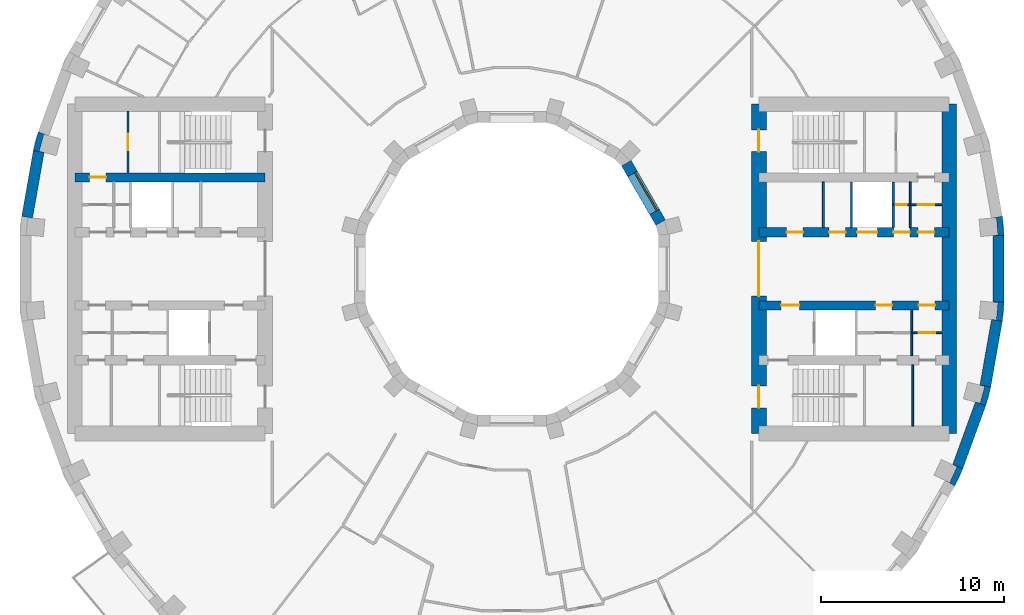
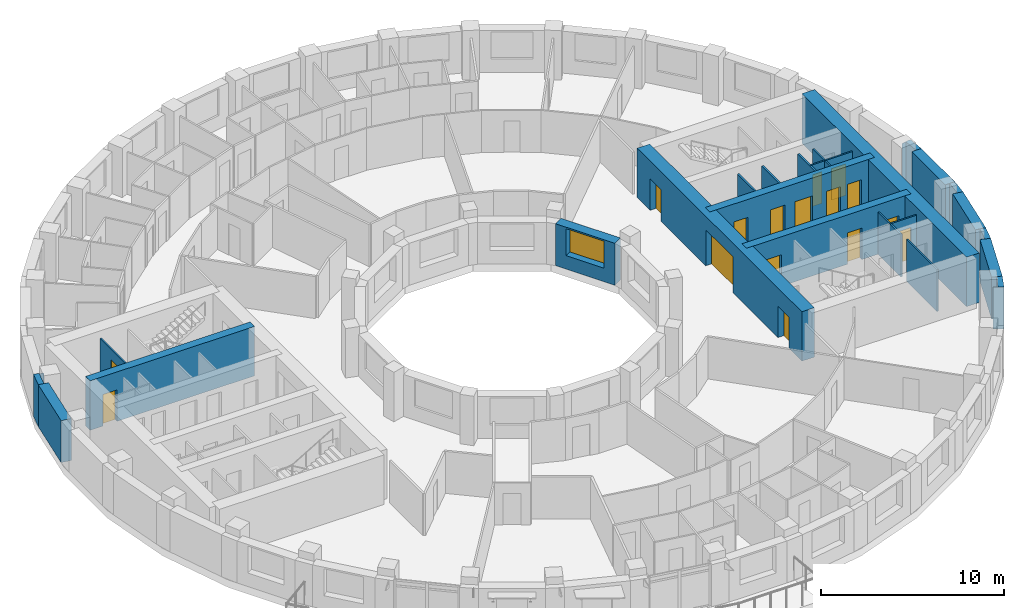
# One storey, part 8 of 14: 25 walls, 16 doors, 1 window, 17 openings.
"""IFC4 building model written with IfcOpenShell, lengths in metres."""

from ifc_helpers import new_model, si_unit, direction, frame, frame_2d, origin, place, context, subcontext, project, spatial, polyline, rectangle, outline, extrude, material, layer, layer_set, type_object, element, fill, save


model = new_model("IFC4")

# Units and contexts
model_context = context("Model", 3, precision=1e-05, world=origin(), true_north=direction((0.0, 1.0)))
body_context = subcontext(model_context, "Body", "Model", "MODEL_VIEW")
ifc_project = project(units=[si_unit("LENGTHUNIT", "METRE"), si_unit("AREAUNIT", "SQUARE_METRE"), si_unit("VOLUMEUNIT", "CUBIC_METRE"), si_unit("PLANEANGLEUNIT", "RADIAN"), si_unit("MASSUNIT", "GRAM", prefix="KILO")], contexts=[model_context])

# Site, building, storey
site_placement = place(None, origin())
site = spatial("IfcSite", under=ifc_project, at=site_placement, CompositionType="ELEMENT")
building_placement = place(site_placement, origin())
building = spatial("IfcBuilding", under=site, at=building_placement, Name="Saqina Gate Tower", CompositionType="ELEMENT")
storey_placement = place(building_placement, frame((0.0, 0.0, 134.800048828125)))
storey = spatial("IfcBuildingStorey", under=building, at=storey_placement, Name="L38", CompositionType="ELEMENT", Elevation=134.800048828125)

# Walls
ifc_material_1 = material(Name="Brick masonry (buff)", Category="masonry")
wall_type_1 = type_object("IfcWallType", Name="BRICK PIER COPING BUFF", PredefinedType="SOLIDWALL", material=ifc_material_1)
wall_1_placement = place(storey_placement, origin())
element("IfcWall", 1, at=wall_1_placement, inside=storey, type_object=wall_type_1, Name="Pier cap L38 column 1", PredefinedType="SOLIDWALL", context=body_context, shape_type="SweptSolid", body=[
    extrude(outline(polyline([(26.805419921875, 2.87451171875), (26.214599609375, 2.770263671875), (26.482421875, 2.793701171875), (26.565185546875, 1.847412109375), (26.29736328125, 1.823974609375), (26.897216796875, 1.823974609375), (26.805419921875, 2.87451171875)])), origin(), (0.0, 0.0, 1.0), 2.800048828125),
])
wall_2_placement = place(storey_placement, origin())
element("IfcWall", 2, at=wall_2_placement, inside=storey, type_object=wall_type_1, Name="Pier cap L38 column 17", PredefinedType="SOLIDWALL", context=body_context, shape_type="SweptSolid", body=[
    extrude(outline(polyline([(-25.89892578125, 7.485595703125), (-26.171875, 6.466796875), (-25.5810546875, 6.36279296875), (-25.8408203125, 6.43212890625), (-25.5947265625, 7.349853515625), (-25.335205078125, 7.2802734375), (-25.89892578125, 7.485595703125)])), origin(), (0.0, 0.0, 1.0), 2.800048828125),
])
wall_3_placement = place(storey_placement, origin())
element("IfcWall", 3, at=wall_3_placement, inside=storey, type_object=wall_type_1, Name="Pier cap L38 column 34", PredefinedType="SOLIDWALL", context=body_context, shape_type="SweptSolid", body=[
    extrude(outline(polyline([(24.6513671875, -10.913330078125), (24.08740234375, -10.7080078125), (24.331298828125, -10.82177734375), (23.9296875, -11.6826171875), (23.68603515625, -11.569091796875), (24.205810546875, -11.869140625), (24.6513671875, -10.913330078125)])), origin(), (0.0, 0.0, 1.0), 2.800048828125),
])
wall_4_placement = place(storey_placement, origin())
element("IfcWall", 4, at=wall_4_placement, inside=storey, type_object=wall_type_1, Name="Pier cap L38 column 35", PredefinedType="SOLIDWALL", context=body_context, shape_type="SweptSolid", body=[
    extrude(outline(polyline([(25.89892578125, -7.485595703125), (26.171875, -6.466796875), (25.5810546875, -6.36279296875), (25.8408203125, -6.43212890625), (25.5947265625, -7.349853515625), (25.335205078125, -7.2802734375), (25.89892578125, -7.485595703125)])), origin(), (0.0, 0.0, 1.0), 2.800048828125),
])
wall_5_placement = place(storey_placement, origin())
element("IfcWall", 5, at=wall_5_placement, inside=storey, type_object=wall_type_1, Name="Pier cap L38 column 36", PredefinedType="SOLIDWALL", context=body_context, shape_type="SweptSolid", body=[
    extrude(outline(polyline([(26.805419921875, -2.87451171875), (26.897216796875, -1.823974609375), (26.29736328125, -1.823974609375), (26.565185546875, -1.847412109375), (26.482421875, -2.793701171875), (26.214599609375, -2.770263671875), (26.805419921875, -2.87451171875)])), origin(), (0.0, 0.0, 1.0), 2.800048828125),
])
ifc_material_2 = material(Name="Gypsum board on steel studs", Category="steel")
ifc_layer_1 = layer(ifc_material_2, 0.10009765625)
ifc_layer_set_1 = layer_set([ifc_layer_1], Name="CORE PARTITION")
wall_type_2 = type_object("IfcWallType", Name="CORE PARTITION", PredefinedType="PARTITIONING", material=ifc_layer_set_1)
for number, where, z_axis, x_axis, name in (
    (6, (17.022216796875, 2.25, 0.0), (0.0, 0.0, 1.0), (0.0, 1.0, 0.0), "L38-CP-E01"),
    (7, (21.77099609375, 2.25, 0.0), (0.0, 0.0, 1.0), (0.0, 1.0, 0.0), "L38-CP-E04"),
    (8, (21.8583984375, -4.75, 0.0), (0.0, 0.0, 1.0), (0.0, 1.0, 0.0), "L38-CP-E07"),
):
    element("IfcWall", number, at=place(storey_placement, frame(where, z_axis=z_axis, x_axis=x_axis)), inside=storey, type_object=wall_type_2, Name=name, PredefinedType="PARTITIONING", context=body_context, shape_type="SweptSolid", body=[
        extrude(rectangle(XDim=2.5, YDim=0.10009765625, at=frame_2d((1.25, 0.0))), origin(), (0.0, 0.0, 1.0), 2.800048828125),
    ])

# Wall, opening, door
wall_6_placement = place(storey_placement, frame((20.840087890625, 3.5, 0.0), z_axis=(0.0, 0.0, 1.0), x_axis=(1.0, 0.0, 0.0)))
wall_6 = element("IfcWall", 9, at=wall_6_placement, inside=storey, type_object=wall_type_2, Name="L38-CP-E08", PredefinedType="PARTITIONING", context=body_context, shape_type="SweptSolid", body=[
    extrude(rectangle(XDim=0.930908203125, YDim=0.10009765625, at=frame_2d((0.46533203125, 0.0))), origin(), (0.0, 0.0, 1.0), 2.800048828125),
])
opening_1_placement = place(wall_6_placement, frame((0.14990234375, 0.0, 0.0)))
opening_1 = element("IfcOpeningElement", 10, at=opening_1_placement, cuts=wall_6, Name="Opening G11-D97", PredefinedType="OPENING", context=body_context, shape_type="SweptSolid", body=[
    extrude(rectangle(XDim=0.60009765625, YDim=2.10009765625, at=frame_2d((0.300048828125, 1.050048828125))), frame((0.0, 0.06201171875, 0.0), z_axis=(0.0, -1.0, 0.0), x_axis=(1.0, 0.0, 0.0)), (0.0, 0.0, 1.0), 0.1240234375),
])
ifc_material_3 = material(Name="Steel-framed fire door leaf, EI 60", Category="steel")
door_type_1 = type_object("IfcDoorType", Name="SERVICE ROOM DOOR 600", OperationType="SINGLE_SWING_LEFT", PredefinedType="DOOR", material=ifc_material_3)
door_1_placement = place(opening_1_placement, origin())
door_1 = element("IfcDoor", 11, at=door_1_placement, inside=storey, type_object=door_type_1, Name="L38-CD-E08", OperationType="SINGLE_SWING_LEFT", OverallHeight=2.10009765625, OverallWidth=0.60009765625, PredefinedType="DOOR", context=body_context, shape_type="SweptSolid", body=[
    extrude(rectangle(XDim=0.60009765625, YDim=2.10009765625, at=frame_2d((0.300048828125, 1.050048828125))), frame((0.0, 0.02490234375, 0.0), z_axis=(0.0, -1.0, 0.0), x_axis=(1.0, 0.0, 0.0)), (0.0, 0.0, 1.0), 0.050048828125),
])
fill(opening_1, door_1)

wall_7_placement = place(storey_placement, frame((21.77099609375, 3.5, 0.0), z_axis=(0.0, 0.0, 1.0), x_axis=(1.0, 0.0, 0.0)))
wall_7 = element("IfcWall", 12, at=wall_7_placement, inside=storey, type_object=wall_type_2, Name="L38-CP-E09", PredefinedType="PARTITIONING", context=body_context, shape_type="SweptSolid", body=[
    extrude(rectangle(XDim=1.72900390625, YDim=0.10009765625, at=frame_2d((0.864501953125, 0.0))), origin(), (0.0, 0.0, 1.0), 2.800048828125),
])
opening_2_placement = place(wall_7_placement, frame((0.41455078125, 0.0, 0.0)))
opening_2 = element("IfcOpeningElement", 13, at=opening_2_placement, cuts=wall_7, Name="Opening G11-D98", PredefinedType="OPENING", context=body_context, shape_type="SweptSolid", body=[
    extrude(rectangle(XDim=0.89990234375, YDim=2.10009765625, at=frame_2d((0.449951171875, 1.050048828125))), frame((0.0, 0.06201171875, 0.0), z_axis=(0.0, -1.0, 0.0), x_axis=(1.0, 0.0, 0.0)), (0.0, 0.0, 1.0), 0.1240234375),
])
ifc_material_4 = material(Name="Steel-framed fire door leaf, EI 60", Category="steel")
door_type_2 = type_object("IfcDoorType", Name="SERVICE ROOM DOOR 900", OperationType="SINGLE_SWING_LEFT", PredefinedType="DOOR", material=ifc_material_4)
door_2_placement = place(opening_2_placement, origin())
door_2 = element("IfcDoor", 14, at=door_2_placement, inside=storey, type_object=door_type_2, Name="L38-CD-E09", OperationType="SINGLE_SWING_RIGHT", OverallHeight=2.10009765625, OverallWidth=0.89990234375, PredefinedType="DOOR", context=body_context, shape_type="SweptSolid", body=[
    extrude(rectangle(XDim=0.89990234375, YDim=2.10009765625, at=frame_2d((0.449951171875, 1.050048828125))), frame((0.0, 0.02490234375, 0.0), z_axis=(0.0, -1.0, 0.0), x_axis=(1.0, 0.0, 0.0)), (0.0, 0.0, 1.0), 0.050048828125),
])
fill(opening_2, door_2)

wall_8_placement = place(storey_placement, frame((21.8583984375, -3.5, 0.0), z_axis=(0.0, 0.0, 1.0), x_axis=(1.0, 0.0, 0.0)))
wall_8 = element("IfcWall", 15, at=wall_8_placement, inside=storey, type_object=wall_type_2, Name="L38-CP-E11", PredefinedType="PARTITIONING", context=body_context, shape_type="SweptSolid", body=[
    extrude(rectangle(XDim=1.6416015625, YDim=0.10009765625, at=frame_2d((0.82080078125, 0.0))), origin(), (0.0, 0.0, 1.0), 2.800048828125),
])
opening_3_placement = place(wall_8_placement, frame((0.370849609375, 0.0, 0.0)))
opening_3 = element("IfcOpeningElement", 16, at=opening_3_placement, cuts=wall_8, Name="Opening G11-D101", PredefinedType="OPENING", context=body_context, shape_type="SweptSolid", body=[
    extrude(rectangle(XDim=0.89990234375, YDim=2.10009765625, at=frame_2d((0.449951171875, 1.050048828125))), frame((0.0, 0.06201171875, 0.0), z_axis=(0.0, -1.0, 0.0), x_axis=(1.0, 0.0, 0.0)), (0.0, 0.0, 1.0), 0.1240234375),
])
door_3_placement = place(opening_3_placement, frame((0.89990234375, 0.0, 0.0), z_axis=(0.0, 0.0, 1.0), x_axis=(-1.0, 0.0, 0.0)))
door_3 = element("IfcDoor", 17, at=door_3_placement, inside=storey, type_object=door_type_2, Name="L38-CD-E12", OperationType="SINGLE_SWING_LEFT", OverallHeight=2.10009765625, OverallWidth=0.89990234375, PredefinedType="DOOR", context=body_context, shape_type="SweptSolid", body=[
    extrude(rectangle(XDim=0.89990234375, YDim=2.10009765625, at=frame_2d((0.449951171875, 1.050048828125))), frame((0.0, 0.02490234375, 0.0), z_axis=(0.0, -1.0, 0.0), x_axis=(1.0, 0.0, 0.0)), (0.0, 0.0, 1.0), 0.050048828125),
])
fill(opening_3, door_3)

# Wall
wall_9_placement = place(storey_placement, frame((21.91162109375, -8.60009765625, 0.0), z_axis=(0.0, 0.0, 1.0), x_axis=(0.0, 1.0, 0.0)))
element("IfcWall", 18, at=wall_9_placement, inside=storey, type_object=wall_type_2, Name="L38-CP-E15", PredefinedType="PARTITIONING", context=body_context, shape_type="SweptSolid", body=[
    extrude(rectangle(XDim=3.35009765625, YDim=0.10009765625, at=frame_2d((1.675048828125, 0.0))), origin(), (0.0, 0.0, 1.0), 2.800048828125),
])

# Wall, opening, door
wall_10_placement = place(storey_placement, frame((-20.991943359375, 5.25, 0.0), z_axis=(0.0, 0.0, 1.0), x_axis=(0.0, 1.0, 0.0)))
wall_10 = element("IfcWall", 19, at=wall_10_placement, inside=storey, type_object=wall_type_2, Name="L38-CP-W13", PredefinedType="PARTITIONING", context=body_context, shape_type="SweptSolid", body=[
    extrude(rectangle(XDim=3.35009765625, YDim=0.10009765625, at=frame_2d((1.675048828125, 0.0))), origin(), (0.0, 0.0, 1.0), 2.800048828125),
])
opening_4_placement = place(wall_10_placement, frame((1.22509765625, 0.0, 0.0)))
opening_4 = element("IfcOpeningElement", 20, at=opening_4_placement, cuts=wall_10, Name="Opening G11-D118", PredefinedType="OPENING", context=body_context, shape_type="SweptSolid", body=[
    extrude(rectangle(XDim=0.89990234375, YDim=2.10009765625, at=frame_2d((0.449951171875, 1.050048828125))), frame((0.0, 0.06201171875, 0.0), z_axis=(0.0, -1.0, 0.0), x_axis=(1.0, 0.0, 0.0)), (0.0, 0.0, 1.0), 0.1240234375),
])
door_4_placement = place(opening_4_placement, origin())
door_4 = element("IfcDoor", 21, at=door_4_placement, inside=storey, type_object=door_type_2, Name="L38-CD-W29", OperationType="SINGLE_SWING_RIGHT", OverallHeight=2.10009765625, OverallWidth=0.89990234375, PredefinedType="DOOR", context=body_context, shape_type="SweptSolid", body=[
    extrude(rectangle(XDim=0.89990234375, YDim=2.10009765625, at=frame_2d((0.449951171875, 1.050048828125))), frame((0.0, 0.02490234375, 0.0), z_axis=(0.0, -1.0, 0.0), x_axis=(1.0, 0.0, 0.0)), (0.0, 0.0, 1.0), 0.050048828125),
])
fill(opening_4, door_4)

# Walls
ifc_material_5 = material(Name="Glazed ceramic tile", Category="ceramic")
ifc_layer_2 = layer(ifc_material_5, 0.60009765625)
ifc_layer_set_2 = layer_set([ifc_layer_2], Name="FW-TILE")
wall_type_3 = type_object("IfcWallType", Name="FW-TILE", PredefinedType="SOLIDWALL", material=ifc_layer_set_2)
for number, where, z_axis, x_axis, name in (
    (22, (-25.87646484375, 6.414794921875, 0.0), (0.0, 0.0, 1.0), (-0.173670796382, -0.984803764455, 0.0), "Facade wall L38 facet 17"),
    (23, (25.87646484375, -6.414794921875, 0.0), (0.0, 0.0, 1.0), (0.173670796382, 0.984803764455, 0.0), "Facade wall L38 facet 35"),
):
    element("IfcWall", number, at=place(storey_placement, frame(where, z_axis=z_axis, x_axis=x_axis)), inside=storey, type_object=wall_type_3, Name=name, PredefinedType="SOLIDWALL", context=body_context, shape_type="SweptSolid", body=[
        extrude(rectangle(XDim=3.64794921875, YDim=0.60009765625, at=frame_2d((1.823974609375, 0.0))), origin(), (0.0, 0.0, 1.0), 2.800048828125),
    ])
ifc_material_6 = material(Name="Glazed ceramic tile (dark blue)", Category="ceramic")
ifc_layer_3 = layer(ifc_material_6, 0.60009765625)
ifc_layer_set_3 = layer_set([ifc_layer_3], Name="FW-TILE-CB")
wall_type_4 = type_object("IfcWallType", Name="FW-TILE-CB", PredefinedType="SOLIDWALL", material=ifc_layer_set_3)
wall_11_placement = place(storey_placement, frame((26.59716796875, -1.823974609375, 0.0), z_axis=(0.0, 0.0, 1.0), x_axis=(0.0, 1.0, 0.0)))
element("IfcWall", 24, at=wall_11_placement, inside=storey, type_object=wall_type_4, Name="Facade wall L38 facet 36", PredefinedType="SOLIDWALL", context=body_context, shape_type="SweptSolid", body=[
    extrude(rectangle(XDim=3.64794921875, YDim=0.60009765625, at=frame_2d((1.823974609375, 0.0))), origin(), (0.0, 0.0, 1.0), 2.800048828125),
])
ifc_material_7 = material(Name="Glazed ceramic tile (white)", Category="ceramic")
ifc_layer_4 = layer(ifc_material_7, 0.60009765625)
ifc_layer_set_4 = layer_set([ifc_layer_4], Name="FW-TILE-WH")
wall_type_5 = type_object("IfcWallType", Name="FW-TILE-WH", PredefinedType="SOLIDWALL", material=ifc_layer_set_4)
wall_12_placement = place(storey_placement, frame((24.369384765625, -10.810791015625, 0.0), z_axis=(0.0, 0.0, 1.0), x_axis=(0.341990236633, 0.939703505393, 0.0)))
element("IfcWall", 25, at=wall_12_placement, inside=storey, type_object=wall_type_5, Name="Facade wall L38 facet 34", PredefinedType="SOLIDWALL", context=body_context, shape_type="SweptSolid", body=[
    extrude(rectangle(XDim=3.64794921875, YDim=0.60009765625, at=frame_2d((1.823974609375, 0.0))), origin(), (0.0, 0.0, 1.0), 2.800048828125),
])

# Wall, opening, window
ifc_material_8 = material(Name="Glazed ceramic tile", Category="ceramic")
ifc_layer_5 = layer(ifc_material_8, 0.60009765625)
ifc_layer_set_5 = layer_set([ifc_layer_5], Name="IW-TILE")
wall_type_6 = type_object("IfcWallType", Name="IW-TILE", PredefinedType="SOLIDWALL", material=ifc_layer_set_5)
wall_13_placement = place(storey_placement, frame((8.124755859375, 2.52734375, 0.0), z_axis=(0.0, 0.0, 1.0), x_axis=(-0.499964958637, 0.86604563398, 0.0)))
wall_13 = element("IfcWall", 26, at=wall_13_placement, inside=storey, type_object=wall_type_6, Name="Well wall L38 facet 1", PredefinedType="SOLIDWALL", context=body_context, shape_type="SweptSolid", body=[
    extrude(rectangle(XDim=3.747314453125, YDim=0.60009765625, at=frame_2d((1.87353515625, 0.0))), origin(), (0.0, 0.0, 1.0), 2.800048828125),
])
opening_5_placement = place(wall_13_placement, frame((0.673583984375, 0.0, 0.89990234375)))
opening_5 = element("IfcOpeningElement", 27, at=opening_5_placement, cuts=wall_13, Name="Opening G11-W23", PredefinedType="OPENING", context=body_context, shape_type="SweptSolid", body=[
    extrude(rectangle(XDim=2.39990234375, YDim=1.800048828125, at=frame_2d((1.199951171875, 0.89990234375))), frame((0.0, 0.31201171875, 0.0), z_axis=(0.0, -1.0, 0.0), x_axis=(1.0, 0.0, 0.0)), (0.0, 0.0, 1.0), 0.6240234375),
])
ifc_material_9 = material(Name="Aluminium glazing", Category="aluminium")
window_type = type_object("IfcWindowType", Name="WN-W", PartitioningType="SINGLE_PANEL", PredefinedType="WINDOW", material=ifc_material_9)
window_placement = place(opening_5_placement, origin())
window = element("IfcWindow", 28, at=window_placement, inside=storey, type_object=window_type, Name="Well window L38 facet 1", OverallHeight=1.800048828125, OverallWidth=2.39990234375, PartitioningType="SINGLE_PANEL", PredefinedType="WINDOW", context=body_context, shape_type="SweptSolid", body=[
    extrude(rectangle(XDim=2.39990234375, YDim=1.800048828125, at=frame_2d((1.199951171875, 0.89990234375))), frame((0.0, -0.119873046875, 0.0), z_axis=(0.0, -1.0, 0.0), x_axis=(1.0, 0.0, 0.0)), (0.0, 0.0, 1.0), 0.06005859375),
])
fill(opening_5, window)

# Walls
ifc_material_10 = material(Name="Autoclaved aerated concrete block", Category="concrete")
ifc_layer_6 = layer(ifc_material_10, 0.1201171875)
ifc_layer_set_6 = layer_set([ifc_layer_6], Name="SHAFT PARTITION")
wall_type_7 = type_object("IfcWallType", Name="SHAFT PARTITION", PredefinedType="PARTITIONING", material=ifc_layer_set_6)
for number, where, z_axis, x_axis, name in (
    (29, (18.56005859375, 2.25, 0.0), (0.0, 0.0, 1.0), (0.0, 1.0, 0.0), "L38-CP-E02"),
    (30, (20.840087890625, 2.25, 0.0), (0.0, 0.0, 1.0), (0.0, 1.0, 0.0), "L38-CP-E03"),
):
    element("IfcWall", number, at=place(storey_placement, frame(where, z_axis=z_axis, x_axis=x_axis)), inside=storey, type_object=wall_type_7, Name=name, PredefinedType="PARTITIONING", context=body_context, shape_type="SweptSolid", body=[
        extrude(rectangle(XDim=2.5, YDim=0.1201171875, at=frame_2d((1.25, 0.0))), origin(), (0.0, 0.0, 1.0), 2.800048828125),
    ])

# Wall, openings, doors
ifc_material_11 = material(Name="Concrete C70/85", Category="concrete")
ifc_layer_7 = layer(ifc_material_11, 0.5)
ifc_layer_set_7 = layer_set([ifc_layer_7], Name="Concrete C70/85")
wall_type_8 = type_object("IfcWallType", Name="STR-CORE WALL-B-I", PredefinedType="SHEAR", material=ifc_layer_set_7)
wall_14_placement = place(storey_placement, frame((13.5, 2.0, 0.0), z_axis=(0.0, 0.0, 1.0), x_axis=(1.0, 0.0, 0.0)))
wall_14 = element("IfcWall", 31, at=wall_14_placement, inside=storey, type_object=wall_type_8, Name="CORE WALL L38 E-L1", PredefinedType="SHEAR", context=body_context, shape_type="SweptSolid", body=[
    extrude(rectangle(XDim=10.39990234375, YDim=0.5, at=frame_2d((5.199951171875, 0.0))), origin(), (0.0, 0.0, 1.0), 3.300048828125),
])
opening_6_placement = place(wall_14_placement, frame((5.3701171875, 0.0, 0.0)))
opening_6 = element("IfcOpeningElement", 32, at=opening_6_placement, cuts=wall_14, Name="Opening G11-LD1", PredefinedType="OPENING", context=body_context, shape_type="SweptSolid", body=[
    extrude(rectangle(XDim=1.10009765625, YDim=2.10009765625, at=frame_2d((0.550048828125, 1.050048828125))), frame((0.0, 0.261962890625, 0.0), z_axis=(0.0, -1.0, 0.0), x_axis=(1.0, 0.0, 0.0)), (0.0, 0.0, 1.0), 0.52392578125),
])
opening_7_placement = place(wall_14_placement, frame((1.510986328125, 0.0, 0.0)))
opening_7 = element("IfcOpeningElement", 33, at=opening_7_placement, cuts=wall_14, Name="Opening G11-D90", PredefinedType="OPENING", context=body_context, shape_type="SweptSolid", body=[
    extrude(rectangle(XDim=0.89990234375, YDim=2.10009765625, at=frame_2d((0.449951171875, 1.050048828125))), frame((0.0, 0.261962890625, 0.0), z_axis=(0.0, -1.0, 0.0), x_axis=(1.0, 0.0, 0.0)), (0.0, 0.0, 1.0), 0.52392578125),
])
opening_8_placement = place(wall_14_placement, frame((3.841064453125, 0.0, 0.0)))
opening_8 = element("IfcOpeningElement", 34, at=opening_8_placement, cuts=wall_14, Name="Opening G11-D91", PredefinedType="OPENING", context=body_context, shape_type="SweptSolid", body=[
    extrude(rectangle(XDim=0.89990234375, YDim=2.10009765625, at=frame_2d((0.449951171875, 1.050048828125))), frame((0.0, 0.261962890625, 0.0), z_axis=(0.0, -1.0, 0.0), x_axis=(1.0, 0.0, 0.0)), (0.0, 0.0, 1.0), 0.52392578125),
])
opening_9_placement = place(wall_14_placement, frame((7.35546875, 0.0, 0.0)))
opening_9 = element("IfcOpeningElement", 35, at=opening_9_placement, cuts=wall_14, Name="Opening G11-D92", PredefinedType="OPENING", context=body_context, shape_type="SweptSolid", body=[
    extrude(rectangle(XDim=0.89990234375, YDim=2.10009765625, at=frame_2d((0.449951171875, 1.050048828125))), frame((0.0, 0.261962890625, 0.0), z_axis=(0.0, -1.0, 0.0), x_axis=(1.0, 0.0, 0.0)), (0.0, 0.0, 1.0), 0.52392578125),
])
opening_10_placement = place(wall_14_placement, frame((8.685546875, 0.0, 0.0)))
opening_10 = element("IfcOpeningElement", 36, at=opening_10_placement, cuts=wall_14, Name="Opening G11-D93", PredefinedType="OPENING", context=body_context, shape_type="SweptSolid", body=[
    extrude(rectangle(XDim=0.89990234375, YDim=2.10009765625, at=frame_2d((0.449951171875, 1.050048828125))), frame((0.0, 0.261962890625, 0.0), z_axis=(0.0, -1.0, 0.0), x_axis=(1.0, 0.0, 0.0)), (0.0, 0.0, 1.0), 0.52392578125),
])
ifc_material_12 = material(Name="Stainless steel", Category="steel")
door_type_3 = type_object("IfcDoorType", Name="LANDING DOOR", OperationType="DOUBLE_DOOR_SLIDING", PredefinedType="DOOR", material=ifc_material_12)
door_5_placement = place(opening_6_placement, origin())
door_5 = element("IfcDoor", 37, at=door_5_placement, inside=storey, type_object=door_type_3, Name="LANDING DOOR MR1", OperationType="DOUBLE_DOOR_SLIDING", OverallHeight=2.10009765625, OverallWidth=1.10009765625, PredefinedType="DOOR", context=body_context, shape_type="SweptSolid", body=[
    extrude(rectangle(XDim=1.10009765625, YDim=2.10009765625, at=frame_2d((0.550048828125, 1.050048828125))), frame((0.0, 0.02490234375, 0.0), z_axis=(0.0, -1.0, 0.0), x_axis=(1.0, 0.0, 0.0)), (0.0, 0.0, 1.0), 0.050048828125),
])
fill(opening_6, door_5)
door_6_placement = place(opening_7_placement, origin())
door_6 = element("IfcDoor", 38, at=door_6_placement, inside=storey, type_object=door_type_2, Name="L38-CD-E01", OperationType="SINGLE_SWING_LEFT", OverallHeight=2.10009765625, OverallWidth=0.89990234375, PredefinedType="DOOR", context=body_context, shape_type="SweptSolid", body=[
    extrude(rectangle(XDim=0.89990234375, YDim=2.10009765625, at=frame_2d((0.449951171875, 1.050048828125))), frame((0.0, 0.02490234375, 0.0), z_axis=(0.0, -1.0, 0.0), x_axis=(1.0, 0.0, 0.0)), (0.0, 0.0, 1.0), 0.050048828125),
])
fill(opening_7, door_6)
door_7_placement = place(opening_8_placement, origin())
door_7 = element("IfcDoor", 39, at=door_7_placement, inside=storey, type_object=door_type_2, Name="L38-CD-E02", OperationType="SINGLE_SWING_RIGHT", OverallHeight=2.10009765625, OverallWidth=0.89990234375, PredefinedType="DOOR", context=body_context, shape_type="SweptSolid", body=[
    extrude(rectangle(XDim=0.89990234375, YDim=2.10009765625, at=frame_2d((0.449951171875, 1.050048828125))), frame((0.0, 0.02490234375, 0.0), z_axis=(0.0, -1.0, 0.0), x_axis=(1.0, 0.0, 0.0)), (0.0, 0.0, 1.0), 0.050048828125),
])
fill(opening_8, door_7)
door_8_placement = place(opening_9_placement, origin())
door_8 = element("IfcDoor", 40, at=door_8_placement, inside=storey, type_object=door_type_2, Name="L38-CD-E03", OperationType="SINGLE_SWING_LEFT", OverallHeight=2.10009765625, OverallWidth=0.89990234375, PredefinedType="DOOR", context=body_context, shape_type="SweptSolid", body=[
    extrude(rectangle(XDim=0.89990234375, YDim=2.10009765625, at=frame_2d((0.449951171875, 1.050048828125))), frame((0.0, 0.02490234375, 0.0), z_axis=(0.0, -1.0, 0.0), x_axis=(1.0, 0.0, 0.0)), (0.0, 0.0, 1.0), 0.050048828125),
])
fill(opening_9, door_8)
door_9_placement = place(opening_10_placement, origin())
door_9 = element("IfcDoor", 41, at=door_9_placement, inside=storey, type_object=door_type_2, Name="L38-CD-E04", OperationType="SINGLE_SWING_RIGHT", OverallHeight=2.10009765625, OverallWidth=0.89990234375, PredefinedType="DOOR", context=body_context, shape_type="SweptSolid", body=[
    extrude(rectangle(XDim=0.89990234375, YDim=2.10009765625, at=frame_2d((0.449951171875, 1.050048828125))), frame((0.0, 0.02490234375, 0.0), z_axis=(0.0, -1.0, 0.0), x_axis=(1.0, 0.0, 0.0)), (0.0, 0.0, 1.0), 0.050048828125),
])
fill(opening_10, door_9)

wall_15_placement = place(storey_placement, frame((13.5, -2.0, 0.0), z_axis=(0.0, 0.0, 1.0), x_axis=(1.0, 0.0, 0.0)))
wall_15 = element("IfcWall", 42, at=wall_15_placement, inside=storey, type_object=wall_type_8, Name="CORE WALL L38 E-L2", PredefinedType="SHEAR", context=body_context, shape_type="SweptSolid", body=[
    extrude(rectangle(XDim=10.39990234375, YDim=0.5, at=frame_2d((5.199951171875, 0.0))), origin(), (0.0, 0.0, 1.0), 3.300048828125),
])
opening_11_placement = place(wall_15_placement, frame((1.215087890625, 0.0, 0.0)))
opening_11 = element("IfcOpeningElement", 43, at=opening_11_placement, cuts=wall_15, Name="Opening G11-D94", PredefinedType="OPENING", context=body_context, shape_type="SweptSolid", body=[
    extrude(rectangle(XDim=1.0, YDim=2.10009765625, at=frame_2d((0.5, 1.050048828125))), frame((0.0, 0.261962890625, 0.0), z_axis=(0.0, -1.0, 0.0), x_axis=(1.0, 0.0, 0.0)), (0.0, 0.0, 1.0), 0.52392578125),
])
opening_12_placement = place(wall_15_placement, frame((6.38427734375, 0.0, 0.0)))
opening_12 = element("IfcOpeningElement", 44, at=opening_12_placement, cuts=wall_15, Name="Opening G11-D95", PredefinedType="OPENING", context=body_context, shape_type="SweptSolid", body=[
    extrude(rectangle(XDim=0.89990234375, YDim=2.10009765625, at=frame_2d((0.449951171875, 1.050048828125))), frame((0.0, 0.261962890625, 0.0), z_axis=(0.0, -1.0, 0.0), x_axis=(1.0, 0.0, 0.0)), (0.0, 0.0, 1.0), 0.52392578125),
])
opening_13_placement = place(wall_15_placement, frame((8.729248046875, 0.0, 0.0)))
opening_13 = element("IfcOpeningElement", 45, at=opening_13_placement, cuts=wall_15, Name="Opening G11-D96", PredefinedType="OPENING", context=body_context, shape_type="SweptSolid", body=[
    extrude(rectangle(XDim=0.89990234375, YDim=2.10009765625, at=frame_2d((0.449951171875, 1.050048828125))), frame((0.0, 0.261962890625, 0.0), z_axis=(0.0, -1.0, 0.0), x_axis=(1.0, 0.0, 0.0)), (0.0, 0.0, 1.0), 0.52392578125),
])
ifc_material_13 = material(Name="Steel", Category="steel")
door_type_4 = type_object("IfcDoorType", Name="FIRE LOBBY DOOR EI 60", OperationType="SINGLE_SWING_LEFT", PredefinedType="DOOR", material=ifc_material_13)
door_10_placement = place(opening_11_placement, origin())
door_10 = element("IfcDoor", 46, at=door_10_placement, inside=storey, type_object=door_type_4, Name="L38-CD-E05", OperationType="SINGLE_SWING_LEFT", OverallHeight=2.10009765625, OverallWidth=1.0, PredefinedType="DOOR", context=body_context, shape_type="SweptSolid", body=[
    extrude(rectangle(XDim=1.0, YDim=2.10009765625, at=frame_2d((0.5, 1.050048828125))), frame((0.0, 0.02490234375, 0.0), z_axis=(0.0, -1.0, 0.0), x_axis=(1.0, 0.0, 0.0)), (0.0, 0.0, 1.0), 0.050048828125),
])
fill(opening_11, door_10)
door_11_placement = place(opening_12_placement, frame((0.89990234375, 0.0, 0.0), z_axis=(0.0, 0.0, 1.0), x_axis=(-1.0, 0.0, 0.0)))
door_11 = element("IfcDoor", 47, at=door_11_placement, inside=storey, type_object=door_type_2, Name="L38-CD-E06", OperationType="SINGLE_SWING_LEFT", OverallHeight=2.10009765625, OverallWidth=0.89990234375, PredefinedType="DOOR", context=body_context, shape_type="SweptSolid", body=[
    extrude(rectangle(XDim=0.89990234375, YDim=2.10009765625, at=frame_2d((0.449951171875, 1.050048828125))), frame((0.0, 0.02490234375, 0.0), z_axis=(0.0, -1.0, 0.0), x_axis=(1.0, 0.0, 0.0)), (0.0, 0.0, 1.0), 0.050048828125),
])
fill(opening_12, door_11)
door_12_placement = place(opening_13_placement, frame((0.89990234375, 0.0, 0.0), z_axis=(0.0, 0.0, 1.0), x_axis=(-1.0, 0.0, 0.0)))
door_12 = element("IfcDoor", 48, at=door_12_placement, inside=storey, type_object=door_type_2, Name="L38-CD-E07", OperationType="SINGLE_SWING_LEFT", OverallHeight=2.10009765625, OverallWidth=0.89990234375, PredefinedType="DOOR", context=body_context, shape_type="SweptSolid", body=[
    extrude(rectangle(XDim=0.89990234375, YDim=2.10009765625, at=frame_2d((0.449951171875, 1.050048828125))), frame((0.0, 0.02490234375, 0.0), z_axis=(0.0, -1.0, 0.0), x_axis=(1.0, 0.0, 0.0)), (0.0, 0.0, 1.0), 0.050048828125),
])
fill(opening_13, door_12)

# Wall, opening, door
wall_16_placement = place(storey_placement, frame((-13.5, 5.0, 0.0), z_axis=(0.0, 0.0, 1.0), x_axis=(-1.0, 0.0, 0.0)))
wall_16 = element("IfcWall", 49, at=wall_16_placement, inside=storey, type_object=wall_type_8, Name="CORE WALL L38 W-X1", PredefinedType="SHEAR", context=body_context, shape_type="SweptSolid", body=[
    extrude(rectangle(XDim=10.39990234375, YDim=0.5, at=frame_2d((5.199951171875, 0.0))), origin(), (0.0, 0.0, 1.0), 3.300048828125),
])
opening_14_placement = place(wall_16_placement, frame((8.685546875, 0.0, 0.0)))
opening_14 = element("IfcOpeningElement", 50, at=opening_14_placement, cuts=wall_16, Name="Opening G11-D119", PredefinedType="OPENING", context=body_context, shape_type="SweptSolid", body=[
    extrude(rectangle(XDim=0.89990234375, YDim=2.10009765625, at=frame_2d((0.449951171875, 1.050048828125))), frame((0.0, 0.261962890625, 0.0), z_axis=(0.0, -1.0, 0.0), x_axis=(1.0, 0.0, 0.0)), (0.0, 0.0, 1.0), 0.52392578125),
])
door_13_placement = place(opening_14_placement, frame((0.89990234375, 0.0, 0.0), z_axis=(0.0, 0.0, 1.0), x_axis=(-1.0, 0.0, 0.0)))
door_13 = element("IfcDoor", 51, at=door_13_placement, inside=storey, type_object=door_type_2, Name="L38-CD-W30", OperationType="SINGLE_SWING_LEFT", OverallHeight=2.10009765625, OverallWidth=0.89990234375, PredefinedType="DOOR", context=body_context, shape_type="SweptSolid", body=[
    extrude(rectangle(XDim=0.89990234375, YDim=2.10009765625, at=frame_2d((0.449951171875, 1.050048828125))), frame((0.0, 0.02490234375, 0.0), z_axis=(0.0, -1.0, 0.0), x_axis=(1.0, 0.0, 0.0)), (0.0, 0.0, 1.0), 0.050048828125),
])
fill(opening_14, door_13)

# Wall, openings, doors
ifc_material_14 = material(Name="Concrete C70/85", Category="concrete")
ifc_layer_8 = layer(ifc_material_14, 0.800048828125)
ifc_layer_set_8 = layer_set([ifc_layer_8], Name="Concrete C70/85")
wall_type_9 = type_object("IfcWallType", Name="STR-CORE WALL-B-O", PredefinedType="SHEAR", material=ifc_layer_set_8)
wall_17_placement = place(storey_placement, frame((13.5, -9.0, 0.0), z_axis=(0.0, 0.0, 1.0), x_axis=(0.0, 1.0, 0.0)))
wall_17 = element("IfcWall", 52, at=wall_17_placement, inside=storey, type_object=wall_type_9, Name="CORE WALL L38 E-W1", PredefinedType="SHEAR", context=body_context, shape_type="SweptSolid", body=[
    extrude(rectangle(XDim=18.0, YDim=0.800048828125, at=frame_2d((9.0, 0.0))), origin(), (0.0, 0.0, 1.0), 3.300048828125),
])
opening_15_placement = place(wall_17_placement, frame((15.39990234375, 0.0, 0.0)))
opening_15 = element("IfcOpeningElement", 53, at=opening_15_placement, cuts=wall_17, Name="Opening G11-D106", PredefinedType="OPENING", context=body_context, shape_type="SweptSolid", body=[
    extrude(rectangle(XDim=1.199951171875, YDim=2.10009765625, at=frame_2d((0.60009765625, 1.050048828125))), frame((0.0, 0.412109375, 0.0), z_axis=(0.0, -1.0, 0.0), x_axis=(1.0, 0.0, 0.0)), (0.0, 0.0, 1.0), 0.823974609375),
])
opening_16_placement = place(wall_17_placement, frame((1.39990234375, 0.0, 0.0)))
opening_16 = element("IfcOpeningElement", 54, at=opening_16_placement, cuts=wall_17, Name="Opening G11-D107", PredefinedType="OPENING", context=body_context, shape_type="SweptSolid", body=[
    extrude(rectangle(XDim=1.199951171875, YDim=2.10009765625, at=frame_2d((0.60009765625, 1.050048828125))), frame((0.0, 0.412109375, 0.0), z_axis=(0.0, -1.0, 0.0), x_axis=(1.0, 0.0, 0.0)), (0.0, 0.0, 1.0), 0.823974609375),
])
opening_17_placement = place(wall_17_placement, frame((7.5, 0.0, 0.0)))
opening_17 = element("IfcOpeningElement", 55, at=opening_17_placement, cuts=wall_17, Name="Opening G11-D108", PredefinedType="OPENING", context=body_context, shape_type="SweptSolid", body=[
    extrude(rectangle(XDim=3.0, YDim=2.39990234375, at=frame_2d((1.5, 1.199951171875))), frame((0.0, 0.412109375, 0.0), z_axis=(0.0, -1.0, 0.0), x_axis=(1.0, 0.0, 0.0)), (0.0, 0.0, 1.0), 0.823974609375),
])
ifc_material_15 = material(Name="Steel", Category="steel")
door_type_5 = type_object("IfcDoorType", Name="FIRE DOOR EI 60", OperationType="SINGLE_SWING_LEFT", PredefinedType="DOOR", material=ifc_material_15)
door_14_placement = place(opening_15_placement, frame((1.199951171875, 0.0, 0.0), z_axis=(0.0, 0.0, 1.0), x_axis=(-1.0, 0.0, 0.0)))
door_14 = element("IfcDoor", 56, at=door_14_placement, inside=storey, type_object=door_type_5, Name="L38-CD-E17", OperationType="SINGLE_SWING_LEFT", OverallHeight=2.10009765625, OverallWidth=1.199951171875, PredefinedType="DOOR", context=body_context, shape_type="SweptSolid", body=[
    extrude(rectangle(XDim=1.199951171875, YDim=2.10009765625, at=frame_2d((0.60009765625, 1.050048828125))), frame((0.0, 0.02490234375, 0.0), z_axis=(0.0, -1.0, 0.0), x_axis=(1.0, 0.0, 0.0)), (0.0, 0.0, 1.0), 0.050048828125),
])
fill(opening_15, door_14)
door_15_placement = place(opening_16_placement, frame((1.199951171875, 0.0, 0.0), z_axis=(0.0, 0.0, 1.0), x_axis=(-1.0, 0.0, 0.0)))
door_15 = element("IfcDoor", 57, at=door_15_placement, inside=storey, type_object=door_type_5, Name="L38-CD-E18", OperationType="SINGLE_SWING_RIGHT", OverallHeight=2.10009765625, OverallWidth=1.199951171875, PredefinedType="DOOR", context=body_context, shape_type="SweptSolid", body=[
    extrude(rectangle(XDim=1.199951171875, YDim=2.10009765625, at=frame_2d((0.60009765625, 1.050048828125))), frame((0.0, 0.02490234375, 0.0), z_axis=(0.0, -1.0, 0.0), x_axis=(1.0, 0.0, 0.0)), (0.0, 0.0, 1.0), 0.050048828125),
])
fill(opening_16, door_15)
ifc_material_16 = material(Name="Steel and fire-resisting glass", Category="steel")
door_type_6 = type_object("IfcDoorType", Name="LOBBY SCREEN DOOR", OperationType="DOUBLE_DOOR_SLIDING", PredefinedType="DOOR", material=ifc_material_16)
door_16_placement = place(opening_17_placement, origin())
door_16 = element("IfcDoor", 58, at=door_16_placement, inside=storey, type_object=door_type_6, Name="L38-CD-E19", OperationType="DOUBLE_DOOR_SLIDING", OverallHeight=2.39990234375, OverallWidth=3.0, PredefinedType="DOOR", context=body_context, shape_type="SweptSolid", body=[
    extrude(rectangle(XDim=3.0, YDim=2.39990234375, at=frame_2d((1.5, 1.199951171875))), frame((0.0, 0.02490234375, 0.0), z_axis=(0.0, -1.0, 0.0), x_axis=(1.0, 0.0, 0.0)), (0.0, 0.0, 1.0), 0.050048828125),
])
fill(opening_17, door_16)

# Wall
wall_18_placement = place(storey_placement, frame((23.89990234375, -9.0, 0.0), z_axis=(0.0, 0.0, 1.0), x_axis=(0.0, 1.0, 0.0)))
element("IfcWall", 59, at=wall_18_placement, inside=storey, type_object=wall_type_9, Name="CORE WALL L38 E-W2", PredefinedType="SHEAR", context=body_context, shape_type="SweptSolid", body=[
    extrude(rectangle(XDim=18.0, YDim=0.800048828125, at=frame_2d((9.0, 0.0))), origin(), (0.0, 0.0, 1.0), 3.300048828125),
])

save(model, "model.ifc")
